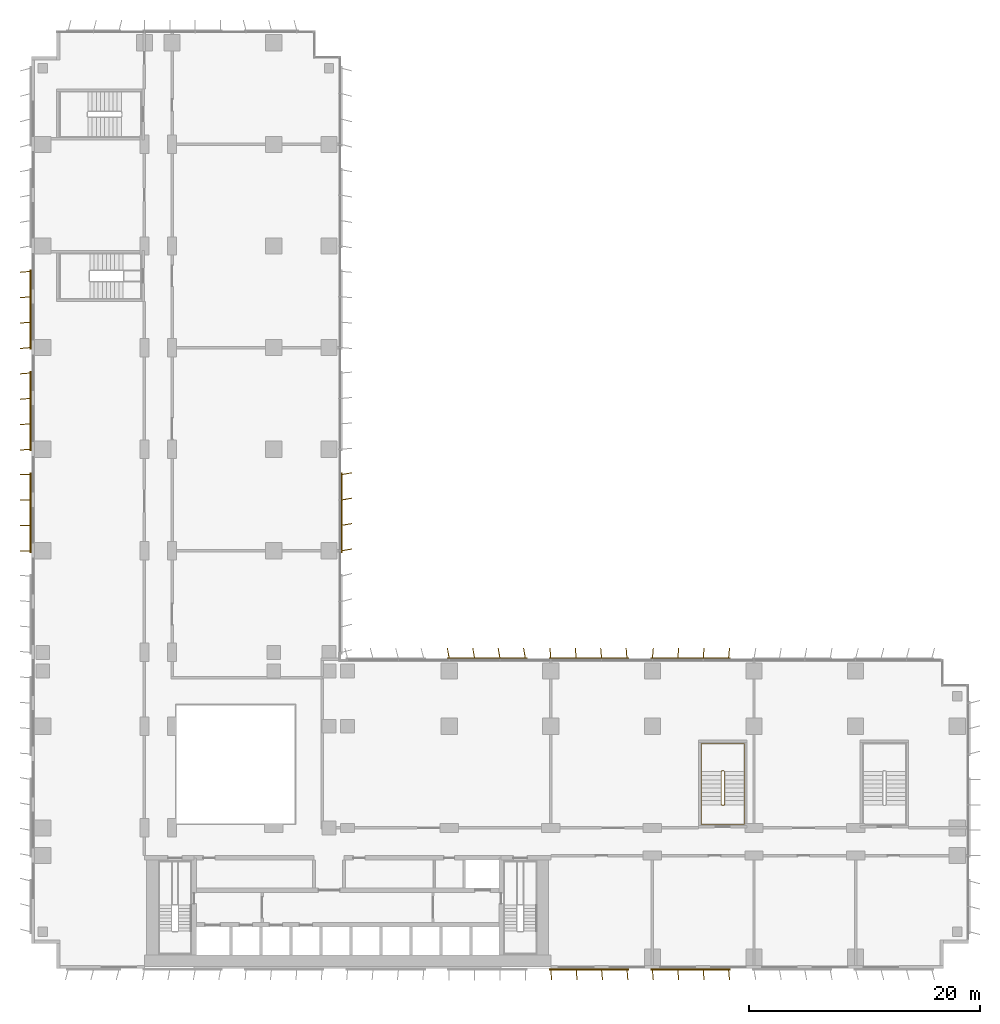
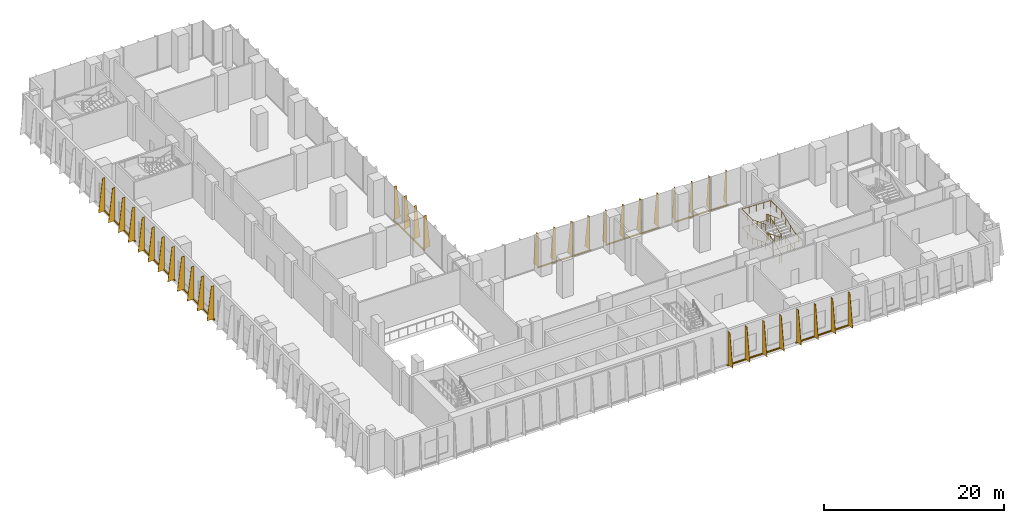
# One storey, part 20 of 23: 9 shading devices, 2 railings.
"""IFC4 building model written with IfcOpenShell, lengths in metres."""

from ifc_helpers import new_model, si_unit, direction, frame, origin, origin_2d, place, context, subcontext, project, spatial, polyline, rectangle, circle, outline, extrude, source, transform, mapped, material, layer, layer_set, type_object, element, save


model = new_model("IFC4")

# Units and contexts
model_context = context("Model", 3, precision=1e-05, world=origin(), true_north=direction((0.0, 1.0)))
body_context = subcontext(model_context, "Body", "Model", "MODEL_VIEW")
ifc_project = project(units=[si_unit("LENGTHUNIT", "METRE"), si_unit("AREAUNIT", "SQUARE_METRE"), si_unit("VOLUMEUNIT", "CUBIC_METRE"), si_unit("PLANEANGLEUNIT", "RADIAN"), si_unit("MASSUNIT", "GRAM", prefix="KILO")], contexts=[model_context])

# Site, building, storey
site_placement = place(None, origin())
site = spatial("IfcSite", under=ifc_project, at=site_placement, CompositionType="ELEMENT")
building_placement = place(site_placement, origin())
building = spatial("IfcBuilding", under=site, at=building_placement, Name="Kemantara Hotel Tower", CompositionType="ELEMENT")
storey_placement = place(building_placement, frame((0.0, 0.0, 71.0)))
storey = spatial("IfcBuildingStorey", under=building, at=storey_placement, Name="L16", CompositionType="ELEMENT", Elevation=71.0)

# Railings
ifc_material_1 = material(Name="Stainless steel balustrade", Category="steel")
railing_type_1 = type_object("IfcRailingType", Name="Stair guard 1100 mm", PredefinedType="GUARDRAIL", material=ifc_material_1)
railing_1_placement = place(storey_placement, frame((59.75, 14.199951171875, 5.0)))
element("IfcRailing", 1, at=railing_1_placement, inside=storey, type_object=railing_type_1, Name="L16 ST3 stair guard 1", PredefinedType="GUARDRAIL", context=body_context, shape_type="SweptSolid", body=[
    extrude(circle(Radius=0.02392578125, at=origin_2d()), frame((0.0, 0.0, 1.076171875), z_axis=(0.0, 0.932982310422, -0.359922225543), x_axis=(-1.0, 0.0, 0.0)), (0.0, 0.0, 1.0), 3.0869140625),
    extrude(circle(Radius=0.02392578125, at=origin_2d()), frame((0.0, 2.880126953125, -0.03515625), z_axis=(0.321175406682, 0.319608697381, -0.891457592206), x_axis=(-0.705375805398, 0.708833529934, 0.0)), (0.0, 0.0, 1.0), 0.15576171875),
    extrude(circle(Radius=0.02392578125, at=origin_2d()), frame((0.050048828125, 2.929931640625, -0.173828125), z_axis=(1.0, 0.0, 0.0), x_axis=(0.0, 1.0, 0.0)), (0.0, 0.0, 1.0), 0.199951171875),
    extrude(circle(Radius=0.02392578125, at=origin_2d()), frame((0.25, 2.929931640625, -0.173828125), z_axis=(0.708833529934, -0.705375805398, 0.0), x_axis=(0.705375805398, 0.708833529934, 0.0)), (0.0, 0.0, 1.0), 0.070556640625),
    extrude(circle(Radius=0.02392578125, at=origin_2d()), frame((0.300048828125, 2.880126953125, -0.173828125), z_axis=(0.0, -0.932982310422, -0.359922225543), x_axis=(1.0, 0.0, 0.0)), (0.0, 0.0, 1.0), 3.0869140625),
    extrude(circle(Radius=0.02392578125, at=origin_2d()), frame((0.300048828125, 0.0, -1.28515625), z_axis=(-0.861032742868, -0.172374719031, -0.478444951847), x_axis=(0.196300278283, -0.98054382908, 0.0)), (0.0, 0.0, 1.0), 0.290283203125),
    extrude(circle(Radius=0.02392578125, at=origin_2d()), frame((0.050048828125, -0.050048828125, -1.423828125), z_axis=(1.0, 0.0, 0.0), x_axis=(0.0, 1.0, 0.0)), (0.0, 0.0, 1.0), 0.199951171875),
    extrude(circle(Radius=0.02392578125, at=origin_2d()), frame((0.25, -0.050048828125, -1.423828125), z_axis=(-0.98054382908, 0.196300278283, 0.0), x_axis=(-0.196300278283, -0.98054382908, 0.0)), (0.0, 0.0, 1.0), 0.2548828125),
    extrude(circle(Radius=0.02392578125, at=origin_2d()), frame((0.0, 0.0, -1.423828125), z_axis=(0.0, 0.932982310422, -0.359922225543), x_axis=(-1.0, 0.0, 0.0)), (0.0, 0.0, 1.0), 3.0869140625),
    extrude(circle(Radius=0.02392578125, at=origin_2d()), frame((0.0, 2.880126953125, -2.53515625), z_axis=(0.321175406682, 0.319608697381, -0.891457592206), x_axis=(-0.705375805398, 0.708833529934, 0.0)), (0.0, 0.0, 1.0), 0.15576171875),
    extrude(circle(Radius=0.02392578125, at=origin_2d()), frame((0.050048828125, 2.929931640625, -2.673828125), z_axis=(1.0, 0.0, 0.0), x_axis=(0.0, 1.0, 0.0)), (0.0, 0.0, 1.0), 0.199951171875),
    extrude(circle(Radius=0.02392578125, at=origin_2d()), frame((0.25, 2.929931640625, -2.673828125), z_axis=(0.708833529934, -0.705375805398, 0.0), x_axis=(0.705375805398, 0.708833529934, 0.0)), (0.0, 0.0, 1.0), 0.070556640625),
    extrude(circle(Radius=0.02392578125, at=origin_2d()), frame((0.300048828125, 2.880126953125, -2.673828125), z_axis=(0.0, -0.932982310422, -0.359922225543), x_axis=(1.0, 0.0, 0.0)), (0.0, 0.0, 1.0), 3.0869140625),
    extrude(circle(Radius=0.02392578125, at=origin_2d()), frame((0.300048828125, 0.0, -3.78515625), z_axis=(-0.321014310373, -0.321014310373, -0.891010451718), x_axis=(0.707106781187, -0.707106781187, 0.0)), (0.0, 0.0, 1.0), 0.156005859375),
    extrude(circle(Radius=0.02392578125, at=origin_2d()), frame((0.25, -0.050048828125, -3.923828125), z_axis=(-1.0, 0.0, 0.0), x_axis=(0.0, -1.0, 0.0)), (0.0, 0.0, 1.0), 0.199951171875),
    extrude(circle(Radius=0.02099609375, at=origin_2d()), origin(), (0.0, 0.0, 1.0), 1.052001953125),
    extrude(circle(Radius=0.02099609375, at=origin_2d()), frame((0.0, 0.9599609375, -0.370361328125)), (0.0, 0.0, 1.0), 1.052001953125),
    extrude(circle(Radius=0.02099609375, at=origin_2d()), frame((0.0, 1.920166015625, -0.74072265625)), (0.0, 0.0, 1.0), 1.052001953125),
    extrude(circle(Radius=0.02099609375, at=origin_2d()), frame((0.0, 2.880126953125, -1.111083984375)), (0.0, 0.0, 1.0), 1.052001953125),
    extrude(circle(Radius=0.02099609375, at=origin_2d()), frame((0.050048828125, 2.929931640625, -1.25)), (0.0, 0.0, 1.0), 1.052001953125),
    extrude(circle(Radius=0.02099609375, at=origin_2d()), frame((0.25, 2.929931640625, -1.25)), (0.0, 0.0, 1.0), 1.052001953125),
    extrude(circle(Radius=0.02099609375, at=origin_2d()), frame((0.300048828125, 2.880126953125, -1.25)), (0.0, 0.0, 1.0), 1.052001953125),
    extrude(circle(Radius=0.02099609375, at=origin_2d()), frame((0.300048828125, 1.920166015625, -1.620361328125)), (0.0, 0.0, 1.0), 1.052001953125),
    extrude(circle(Radius=0.02099609375, at=origin_2d()), frame((0.300048828125, 0.9599609375, -1.99072265625)), (0.0, 0.0, 1.0), 1.052001953125),
    extrude(circle(Radius=0.02099609375, at=origin_2d()), frame((0.300048828125, 0.0, -2.361083984375)), (0.0, 0.0, 1.0), 1.052001953125),
    extrude(circle(Radius=0.02099609375, at=origin_2d()), frame((0.050048828125, -0.050048828125, -2.5)), (0.0, 0.0, 1.0), 1.052001953125),
    extrude(circle(Radius=0.02099609375, at=origin_2d()), frame((0.25, -0.050048828125, -2.5)), (0.0, 0.0, 1.0), 1.052001953125),
    extrude(circle(Radius=0.02099609375, at=origin_2d()), frame((0.0, 0.0, -2.5)), (0.0, 0.0, 1.0), 1.052001953125),
    extrude(circle(Radius=0.02099609375, at=origin_2d()), frame((0.0, 0.9599609375, -2.870361328125)), (0.0, 0.0, 1.0), 1.052001953125),
    extrude(circle(Radius=0.02099609375, at=origin_2d()), frame((0.0, 1.920166015625, -3.24072265625)), (0.0, 0.0, 1.0), 1.052001953125),
    extrude(circle(Radius=0.02099609375, at=origin_2d()), frame((0.0, 2.880126953125, -3.611083984375)), (0.0, 0.0, 1.0), 1.052001953125),
    extrude(circle(Radius=0.02099609375, at=origin_2d()), frame((0.050048828125, 2.929931640625, -3.75)), (0.0, 0.0, 1.0), 1.052001953125),
    extrude(circle(Radius=0.02099609375, at=origin_2d()), frame((0.25, 2.929931640625, -3.75)), (0.0, 0.0, 1.0), 1.052001953125),
    extrude(circle(Radius=0.02099609375, at=origin_2d()), frame((0.300048828125, 2.880126953125, -3.75)), (0.0, 0.0, 1.0), 1.052001953125),
    extrude(circle(Radius=0.02099609375, at=origin_2d()), frame((0.300048828125, 1.920166015625, -4.120361328125)), (0.0, 0.0, 1.0), 1.052001953125),
    extrude(circle(Radius=0.02099609375, at=origin_2d()), frame((0.300048828125, 0.9599609375, -4.49072265625)), (0.0, 0.0, 1.0), 1.052001953125),
    extrude(circle(Radius=0.02099609375, at=origin_2d()), frame((0.300048828125, 0.0, -4.861083984375)), (0.0, 0.0, 1.0), 1.052001953125),
    extrude(circle(Radius=0.02099609375, at=origin_2d()), frame((0.25, -0.050048828125, -5.0)), (0.0, 0.0, 1.0), 1.052001953125),
    extrude(circle(Radius=0.02099609375, at=origin_2d()), frame((0.050048828125, -0.050048828125, -5.0)), (0.0, 0.0, 1.0), 1.052001953125),
])
railing_type_2 = type_object("IfcRailingType", Name="Stair handrail 900 mm", PredefinedType="HANDRAIL", material=ifc_material_1)
railing_2_placement = place(storey_placement, frame((61.75, 14.199951171875, 0.138916015625)))
element("IfcRailing", 2, at=railing_2_placement, inside=storey, type_object=railing_type_2, Name="L16 ST3 stair handrail 1", PredefinedType="HANDRAIL", context=body_context, shape_type="SweptSolid", body=[
    extrude(circle(Radius=0.02392578125, at=origin_2d()), frame((0.0, 0.0, 0.8759765625), z_axis=(0.0, 0.932982310422, 0.359922225543), x_axis=(-1.0, 0.0, 0.0)), (0.0, 0.0, 1.0), 3.0869140625),
    extrude(circle(Radius=0.02392578125, at=origin_2d()), frame((0.0, 2.880126953125, 1.98681640625), z_axis=(0.0, 1.0, 0.0), x_axis=(-1.0, 0.0, 0.0)), (0.0, 0.0, 1.0), 2.39990234375),
    extrude(circle(Radius=0.02392578125, at=origin_2d()), frame((0.0, 5.280029296875, 1.98681640625), z_axis=(-0.999295917098, 0.0, 0.037518929517), x_axis=(0.0, -1.0, 0.0)), (0.0, 0.0, 1.0), 3.70263671875),
    extrude(circle(Radius=0.02392578125, at=origin_2d()), frame((-3.699951171875, 5.280029296875, 2.1259765625), z_axis=(0.0, -1.0, 0.0), x_axis=(1.0, 0.0, 0.0)), (0.0, 0.0, 1.0), 2.39990234375),
    extrude(circle(Radius=0.02392578125, at=origin_2d()), frame((-3.699951171875, 2.880126953125, 2.1259765625), z_axis=(0.0, -0.932982310422, 0.359922225543), x_axis=(1.0, 0.0, 0.0)), (0.0, 0.0, 1.0), 3.0869140625),
    extrude(circle(Radius=0.02392578125, at=origin_2d()), frame((-3.699951171875, 0.0, 3.23681640625), z_axis=(0.0, -1.0, 0.0), x_axis=(1.0, 0.0, 0.0)), (0.0, 0.0, 1.0), 1.679931640625),
    extrude(circle(Radius=0.02392578125, at=origin_2d()), frame((-3.699951171875, -1.679931640625, 3.23681640625), z_axis=(0.999295917098, 0.0, 0.037518929517), x_axis=(0.0, 1.0, 0.0)), (0.0, 0.0, 1.0), 3.70263671875),
    extrude(circle(Radius=0.02392578125, at=origin_2d()), frame((0.0, -1.679931640625, 3.3759765625), z_axis=(0.0, 1.0, 0.0), x_axis=(-1.0, 0.0, 0.0)), (0.0, 0.0, 1.0), 1.679931640625),
    extrude(circle(Radius=0.02392578125, at=origin_2d()), frame((0.0, 0.0, 3.3759765625), z_axis=(0.0, 0.932982310422, 0.359922225543), x_axis=(-1.0, 0.0, 0.0)), (0.0, 0.0, 1.0), 3.0869140625),
    extrude(circle(Radius=0.02392578125, at=origin_2d()), frame((0.0, 2.880126953125, 4.48681640625), z_axis=(0.0, 1.0, 0.0), x_axis=(-1.0, 0.0, 0.0)), (0.0, 0.0, 1.0), 2.39990234375),
    extrude(circle(Radius=0.02392578125, at=origin_2d()), frame((0.0, 5.280029296875, 4.48681640625), z_axis=(-0.999295917098, 0.0, 0.037518929517), x_axis=(0.0, -1.0, 0.0)), (0.0, 0.0, 1.0), 3.70263671875),
    extrude(circle(Radius=0.02392578125, at=origin_2d()), frame((-3.699951171875, 5.280029296875, 4.6259765625), z_axis=(0.0, -1.0, 0.0), x_axis=(1.0, 0.0, 0.0)), (0.0, 0.0, 1.0), 2.39990234375),
    extrude(circle(Radius=0.02392578125, at=origin_2d()), frame((-3.699951171875, 2.880126953125, 4.6259765625), z_axis=(0.0, -0.932982310422, 0.359922225543), x_axis=(1.0, 0.0, 0.0)), (0.0, 0.0, 1.0), 3.0869140625),
    extrude(circle(Radius=0.02099609375, at=origin_2d()), origin(), (0.0, 0.0, 1.0), 0.851806640625),
    extrude(circle(Radius=0.02099609375, at=origin_2d()), frame((0.0, 0.9599609375, 0.370361328125)), (0.0, 0.0, 1.0), 0.851806640625),
    extrude(circle(Radius=0.02099609375, at=origin_2d()), frame((0.0, 1.920166015625, 0.74072265625)), (0.0, 0.0, 1.0), 0.851806640625),
    extrude(circle(Radius=0.02099609375, at=origin_2d()), frame((0.0, 2.880126953125, 1.111083984375)), (0.0, 0.0, 1.0), 0.851806640625),
    extrude(circle(Radius=0.02099609375, at=origin_2d()), frame((0.0, 4.080078125, 1.111083984375)), (0.0, 0.0, 1.0), 0.851806640625),
    extrude(circle(Radius=0.02099609375, at=origin_2d()), frame((0.0, 5.280029296875, 1.111083984375)), (0.0, 0.0, 1.0), 0.851806640625),
    extrude(circle(Radius=0.02099609375, at=origin_2d()), frame((-0.925048828125, 5.280029296875, 1.145751953125)), (0.0, 0.0, 1.0), 0.851806640625),
    extrude(circle(Radius=0.02099609375, at=origin_2d()), frame((-1.85009765625, 5.280029296875, 1.1806640625)), (0.0, 0.0, 1.0), 0.851806640625),
    extrude(circle(Radius=0.02099609375, at=origin_2d()), frame((-2.77490234375, 5.280029296875, 1.21533203125)), (0.0, 0.0, 1.0), 0.851806640625),
    extrude(circle(Radius=0.02099609375, at=origin_2d()), frame((-3.699951171875, 5.280029296875, 1.25)), (0.0, 0.0, 1.0), 0.851806640625),
    extrude(circle(Radius=0.02099609375, at=origin_2d()), frame((-3.699951171875, 4.080078125, 1.25)), (0.0, 0.0, 1.0), 0.851806640625),
    extrude(circle(Radius=0.02099609375, at=origin_2d()), frame((-3.699951171875, 2.880126953125, 1.25)), (0.0, 0.0, 1.0), 0.851806640625),
    extrude(circle(Radius=0.02099609375, at=origin_2d()), frame((-3.699951171875, 1.920166015625, 1.620361328125)), (0.0, 0.0, 1.0), 0.851806640625),
    extrude(circle(Radius=0.02099609375, at=origin_2d()), frame((-3.699951171875, 0.9599609375, 1.99072265625)), (0.0, 0.0, 1.0), 0.851806640625),
    extrude(circle(Radius=0.02099609375, at=origin_2d()), frame((-3.699951171875, 0.0, 2.361083984375)), (0.0, 0.0, 1.0), 0.851806640625),
    extrude(circle(Radius=0.02099609375, at=origin_2d()), frame((-3.699951171875, -0.83984375, 2.361083984375)), (0.0, 0.0, 1.0), 0.851806640625),
    extrude(circle(Radius=0.02099609375, at=origin_2d()), frame((-3.699951171875, -1.679931640625, 2.361083984375)), (0.0, 0.0, 1.0), 0.851806640625),
    extrude(circle(Radius=0.02099609375, at=origin_2d()), frame((-2.77490234375, -1.679931640625, 2.395751953125)), (0.0, 0.0, 1.0), 0.851806640625),
    extrude(circle(Radius=0.02099609375, at=origin_2d()), frame((-1.85009765625, -1.679931640625, 2.4306640625)), (0.0, 0.0, 1.0), 0.851806640625),
    extrude(circle(Radius=0.02099609375, at=origin_2d()), frame((-0.925048828125, -1.679931640625, 2.46533203125)), (0.0, 0.0, 1.0), 0.851806640625),
    extrude(circle(Radius=0.02099609375, at=origin_2d()), frame((0.0, -1.679931640625, 2.5)), (0.0, 0.0, 1.0), 0.851806640625),
    extrude(circle(Radius=0.02099609375, at=origin_2d()), frame((0.0, -0.83984375, 2.5)), (0.0, 0.0, 1.0), 0.851806640625),
    extrude(circle(Radius=0.02099609375, at=origin_2d()), frame((0.0, 0.0, 2.5)), (0.0, 0.0, 1.0), 0.851806640625),
    extrude(circle(Radius=0.02099609375, at=origin_2d()), frame((0.0, 0.9599609375, 2.870361328125)), (0.0, 0.0, 1.0), 0.851806640625),
    extrude(circle(Radius=0.02099609375, at=origin_2d()), frame((0.0, 1.920166015625, 3.24072265625)), (0.0, 0.0, 1.0), 0.851806640625),
    extrude(circle(Radius=0.02099609375, at=origin_2d()), frame((0.0, 2.880126953125, 3.611083984375)), (0.0, 0.0, 1.0), 0.851806640625),
    extrude(circle(Radius=0.02099609375, at=origin_2d()), frame((0.0, 4.080078125, 3.611083984375)), (0.0, 0.0, 1.0), 0.851806640625),
    extrude(circle(Radius=0.02099609375, at=origin_2d()), frame((0.0, 5.280029296875, 3.611083984375)), (0.0, 0.0, 1.0), 0.851806640625),
    extrude(circle(Radius=0.02099609375, at=origin_2d()), frame((-0.925048828125, 5.280029296875, 3.645751953125)), (0.0, 0.0, 1.0), 0.851806640625),
    extrude(circle(Radius=0.02099609375, at=origin_2d()), frame((-1.85009765625, 5.280029296875, 3.6806640625)), (0.0, 0.0, 1.0), 0.851806640625),
    extrude(circle(Radius=0.02099609375, at=origin_2d()), frame((-2.77490234375, 5.280029296875, 3.71533203125)), (0.0, 0.0, 1.0), 0.851806640625),
    extrude(circle(Radius=0.02099609375, at=origin_2d()), frame((-3.699951171875, 5.280029296875, 3.75)), (0.0, 0.0, 1.0), 0.851806640625),
    extrude(circle(Radius=0.02099609375, at=origin_2d()), frame((-3.699951171875, 4.080078125, 3.75)), (0.0, 0.0, 1.0), 0.851806640625),
    extrude(circle(Radius=0.02099609375, at=origin_2d()), frame((-3.699951171875, 2.880126953125, 3.75)), (0.0, 0.0, 1.0), 0.851806640625),
    extrude(circle(Radius=0.02099609375, at=origin_2d()), frame((-3.699951171875, 1.920166015625, 4.120361328125)), (0.0, 0.0, 1.0), 0.851806640625),
    extrude(circle(Radius=0.02099609375, at=origin_2d()), frame((-3.699951171875, 0.9599609375, 4.49072265625)), (0.0, 0.0, 1.0), 0.851806640625),
    extrude(circle(Radius=0.02099609375, at=origin_2d()), frame((-3.699951171875, 0.0, 4.861083984375)), (0.0, 0.0, 1.0), 0.851806640625),
])

# Shading devices
ifc_material_2 = material(Name="Perforated aluminium plate 4 mm bronze anodised", Category="aluminium")
ifc_layer_1 = layer(ifc_material_2, 0.0400390625)
ifc_layer_set_1 = layer_set([ifc_layer_1], Name="Perforated aluminium plate 4 mm bronze anodised")
shading_device_type_1 = type_object("IfcShadingDeviceType", Name="SCREEN FIN CASSETTE, 4 BLADES AT -5.0 DEG, 4500 HIGH", PredefinedType="USERDEFINED", material=ifc_layer_set_1)
shared_shape_1 = source(origin(), body_context, "Body", "SweptSolid", [
    extrude(rectangle(XDim=6.89990234375, YDim=0.14990234375, at=origin_2d()), frame((3.300048828125, -0.074951171875, -0.14990234375), z_axis=(0.0, 0.0, 1.0), x_axis=(1.0, 0.0, 0.0)), (0.0, 0.0, 1.0), 0.14990234375),
    extrude(outline(polyline([(0.0, 0.0), (0.89990234375, 0.0), (0.35009765625, 4.5), (0.0, 4.5), (0.0, 0.0)])), frame((0.02001953125, -0.07666015625, 0.0), z_axis=(-0.996376129781, 0.085056498884, 0.0), x_axis=(-0.085056498884, -0.996376129781, 0.0)), (0.0, 0.0, 1.0), 0.040283203125),
    extrude(outline(polyline([(0.0, 0.0), (0.89990234375, 0.0), (0.35009765625, 4.5), (0.0, 4.5), (0.0, 0.0)])), frame((2.219970703125, -0.07666015625, 0.0), z_axis=(-0.996331773833, 0.085574508182, 0.0), x_axis=(-0.085574508182, -0.996331773833, 0.0)), (0.0, 0.0, 1.0), 0.0400390625),
    extrude(outline(polyline([(0.0, 0.0), (0.89990234375, 0.0), (0.35009765625, 4.5), (0.0, 4.5), (0.0, 0.0)])), frame((4.419921875, -0.07666015625, 0.0), z_axis=(-0.996331773833, 0.085574508182, 0.0), x_axis=(-0.085574508182, -0.996331773833, 0.0)), (0.0, 0.0, 1.0), 0.0400390625),
    extrude(outline(polyline([(0.0, 0.0), (0.89990234375, 0.0), (0.35009765625, 4.5), (0.0, 4.5), (0.0, 0.0)])), frame((6.619873046875, -0.07666015625, 0.0), z_axis=(-0.996331773833, 0.085574508182, 0.0), x_axis=(-0.085574508182, -0.996331773833, 0.0)), (0.0, 0.0, 1.0), 0.0400390625),
])
shading_device_1_placement = place(storey_placement, frame((60.39990234375, 26.800048828125, 0.10009765625), z_axis=(0.0, 0.0, 1.0), x_axis=(-1.0, 0.0, 0.0)))
element("IfcShadingDevice", 3, at=shading_device_1_placement, inside=storey, type_object=shading_device_type_1, Name="SCREEN FIN CASSETTE L16 T1-R07-3", ObjectType="SCREEN FIN", PredefinedType="USERDEFINED", context=body_context, shape_type="MappedRepresentation", body=[
    mapped(shared_shape_1, transform((0.0, 0.0, 0.0))),
])
ifc_layer_2 = layer(ifc_material_2, 0.0400390625)
ifc_layer_set_2 = layer_set([ifc_layer_2], Name="Perforated aluminium plate 4 mm bronze anodised")
shading_device_type_2 = type_object("IfcShadingDeviceType", Name="SCREEN FIN CASSETTE, 4 BLADES AT +0.0 DEG, 4500 HIGH", PredefinedType="USERDEFINED", material=ifc_layer_set_2)
shared_shape_2 = source(origin(), body_context, "Body", "SweptSolid", [
    extrude(rectangle(XDim=6.89990234375, YDim=0.14990234375, at=origin_2d()), frame((3.300048828125, -0.074951171875, -0.14990234375), z_axis=(0.0, 0.0, 1.0), x_axis=(1.0, 0.0, 0.0)), (0.0, 0.0, 1.0), 0.14990234375),
    extrude(outline(polyline([(0.0, 0.0), (0.89990234375, 0.0), (0.35009765625, 4.5), (0.0, 4.5), (0.0, 0.0)])), frame((0.02001953125, -0.074951171875, 0.0), z_axis=(-1.0, 0.0, 0.0), x_axis=(0.0, -1.0, 0.0)), (0.0, 0.0, 1.0), 0.0400390625),
    extrude(outline(polyline([(0.0, 0.0), (0.89990234375, 0.0), (0.35009765625, 4.5), (0.0, 4.5), (0.0, 0.0)])), frame((2.219970703125, -0.074951171875, 0.0), z_axis=(-1.0, 0.0, 0.0), x_axis=(0.0, -1.0, 0.0)), (0.0, 0.0, 1.0), 0.0400390625),
    extrude(outline(polyline([(0.0, 0.0), (0.89990234375, 0.0), (0.35009765625, 4.5), (0.0, 4.5), (0.0, 0.0)])), frame((4.419921875, -0.074951171875, 0.0), z_axis=(-1.0, 0.0, 0.0), x_axis=(0.0, -1.0, 0.0)), (0.0, 0.0, 1.0), 0.0400390625),
    extrude(outline(polyline([(0.0, 0.0), (0.89990234375, 0.0), (0.35009765625, 4.5), (0.0, 4.5), (0.0, 0.0)])), frame((6.6201171875, -0.074951171875, 0.0), z_axis=(-1.0, 0.0, 0.0), x_axis=(0.0, -1.0, 0.0)), (0.0, 0.0, 1.0), 0.0400390625),
])
shading_device_2_placement = place(storey_placement, frame((0.0, 42.800048828125, 0.10009765625), z_axis=(0.0, 0.0, 1.0), x_axis=(0.0, -1.0, 0.0)))
element("IfcShadingDevice", 4, at=shading_device_2_placement, inside=storey, type_object=shading_device_type_2, Name="SCREEN FIN CASSETTE L16 T1-R14-5", ObjectType="SCREEN FIN", PredefinedType="USERDEFINED", context=body_context, shape_type="MappedRepresentation", body=[
    mapped(shared_shape_2, transform((0.0, 0.0, 0.0))),
])
ifc_layer_3 = layer(ifc_material_2, 0.0400390625)
ifc_layer_set_3 = layer_set([ifc_layer_3], Name="Perforated aluminium plate 4 mm bronze anodised")
shading_device_type_3 = type_object("IfcShadingDeviceType", Name="SCREEN FIN CASSETTE, 4 BLADES AT +5.0 DEG, 4500 HIGH", PredefinedType="USERDEFINED", material=ifc_layer_set_3)
shared_shape_3 = source(origin(), body_context, "Body", "SweptSolid", [
    extrude(rectangle(XDim=6.89990234375, YDim=0.14990234375, at=origin_2d()), frame((3.300048828125, -0.074951171875, -0.14990234375), z_axis=(0.0, 0.0, 1.0), x_axis=(1.0, 0.0, 0.0)), (0.0, 0.0, 1.0), 0.14990234375),
    extrude(outline(polyline([(0.0, 0.0), (0.89990234375, 0.0), (0.35009765625, 4.5), (0.0, 4.5), (0.0, 0.0)])), frame((0.02001953125, -0.0732421875, 0.0), z_axis=(-0.996376129781, -0.085056498884, 0.0), x_axis=(0.085056498884, -0.996376129781, 0.0)), (0.0, 0.0, 1.0), 0.040283203125),
    extrude(outline(polyline([(0.0, 0.0), (0.89990234375, 0.0), (0.35009765625, 4.5), (0.0, 4.5), (0.0, 0.0)])), frame((2.219970703125, -0.0732421875, 0.0), z_axis=(-0.996331773833, -0.085574508182, 0.0), x_axis=(0.085574508182, -0.996331773833, 0.0)), (0.0, 0.0, 1.0), 0.0400390625),
    extrude(outline(polyline([(0.0, 0.0), (0.89990234375, 0.0), (0.35009765625, 4.5), (0.0, 4.5), (0.0, 0.0)])), frame((4.419921875, -0.0732421875, 0.0), z_axis=(-0.996331773833, -0.085574508182, 0.0), x_axis=(0.085574508182, -0.996331773833, 0.0)), (0.0, 0.0, 1.0), 0.0400390625),
    extrude(outline(polyline([(0.0, 0.0), (0.89990234375, 0.0), (0.35009765625, 4.5), (0.0, 4.5), (0.0, 0.0)])), frame((6.619873046875, -0.0732421875, 0.0), z_axis=(-0.996331773833, -0.085574508182, 0.0), x_axis=(0.085574508182, -0.996331773833, 0.0)), (0.0, 0.0, 1.0), 0.0400390625),
])
for number, where, z_axis, x_axis, name in (
    (5, (45.0, 0.0, 0.10009765625), (0.0, 0.0, 1.0), (1.0, 0.0, 0.0), "SCREEN FIN CASSETTE L16 T1-R01-6"),
    (6, (53.800048828125, 0.0, 0.10009765625), (0.0, 0.0, 1.0), (1.0, 0.0, 0.0), "SCREEN FIN CASSETTE L16 T1-R01-7"),
    (7, (51.60009765625, 26.800048828125, 0.10009765625), (0.0, 0.0, 1.0), (-1.0, 0.0, 0.0), "SCREEN FIN CASSETTE L16 T1-R07-4"),
    (8, (0.0, 60.39990234375, 0.10009765625), (0.0, 0.0, 1.0), (0.0, -1.0, 0.0), "SCREEN FIN CASSETTE L16 T1-R14-3"),
    (9, (0.0, 51.60009765625, 0.10009765625), (0.0, 0.0, 1.0), (0.0, -1.0, 0.0), "SCREEN FIN CASSETTE L16 T1-R14-4"),
):
    element("IfcShadingDevice", number, at=place(storey_placement, frame(where, z_axis=z_axis, x_axis=x_axis)), inside=storey, type_object=shading_device_type_3, Name=name, ObjectType="SCREEN FIN", PredefinedType="USERDEFINED", context=body_context, shape_type="MappedRepresentation", body=[
        mapped(shared_shape_3, transform((0.0, 0.0, 0.0))),
    ])
ifc_layer_4 = layer(ifc_material_2, 0.0400390625)
ifc_layer_set_4 = layer_set([ifc_layer_4], Name="Perforated aluminium plate 4 mm bronze anodised")
shading_device_type_4 = type_object("IfcShadingDeviceType", Name="SCREEN FIN CASSETTE, 4 BLADES AT +10.0 DEG, 4500 HIGH", PredefinedType="USERDEFINED", material=ifc_layer_set_4)
shared_shape_4 = source(origin(), body_context, "Body", "SweptSolid", [
    extrude(rectangle(XDim=6.89990234375, YDim=0.14990234375, at=origin_2d()), frame((3.300048828125, -0.074951171875, -0.14990234375), z_axis=(0.0, 0.0, 1.0), x_axis=(1.0, 0.0, 0.0)), (0.0, 0.0, 1.0), 0.14990234375),
    extrude(outline(polyline([(0.0, 0.0), (0.89990234375, 0.0), (0.35009765625, 4.5), (0.0, 4.5), (0.0, 0.0)])), frame((0.019775390625, -0.071533203125, 0.0), z_axis=(-0.985389793052, -0.170314285219, 0.0), x_axis=(0.170314285219, -0.985389793052, 0.0)), (0.0, 0.0, 1.0), 0.0400390625),
    extrude(outline(polyline([(0.0, 0.0), (0.89990234375, 0.0), (0.35009765625, 4.5), (0.0, 4.5), (0.0, 0.0)])), frame((2.2197265625, -0.071533203125, 0.0), z_axis=(-0.98521175482, -0.171341174751, 0.0), x_axis=(0.171341174751, -0.98521175482, 0.0)), (0.0, 0.0, 1.0), 0.039794921875),
    extrude(outline(polyline([(0.0, 0.0), (0.89990234375, 0.0), (0.35009765625, 4.5), (0.0, 4.5), (0.0, 0.0)])), frame((4.419677734375, -0.071533203125, 0.0), z_axis=(-0.98521175482, -0.171341174751, 0.0), x_axis=(0.171341174751, -0.98521175482, 0.0)), (0.0, 0.0, 1.0), 0.039794921875),
    extrude(outline(polyline([(0.0, 0.0), (0.89990234375, 0.0), (0.35009765625, 4.5), (0.0, 4.5), (0.0, 0.0)])), frame((6.61962890625, -0.071533203125, 0.0), z_axis=(-0.98521175482, -0.171341174751, 0.0), x_axis=(0.171341174751, -0.98521175482, 0.0)), (0.0, 0.0, 1.0), 0.039794921875),
])
for number, where, z_axis, x_axis, name in (
    (10, (42.800048828125, 26.800048828125, 0.10009765625), (0.0, 0.0, 1.0), (-1.0, 0.0, 0.0), "SCREEN FIN CASSETTE L16 T1-R07-5"),
    (11, (26.800048828125, 36.199951171875, 0.10009765625), (0.0, 0.0, 1.0), (0.0, 1.0, 0.0), "SCREEN FIN CASSETTE L16 T1-R08-2"),
):
    element("IfcShadingDevice", number, at=place(storey_placement, frame(where, z_axis=z_axis, x_axis=x_axis)), inside=storey, type_object=shading_device_type_4, Name=name, ObjectType="SCREEN FIN", PredefinedType="USERDEFINED", context=body_context, shape_type="MappedRepresentation", body=[
        mapped(shared_shape_4, transform((0.0, 0.0, 0.0))),
    ])

save(model, "model.ifc")
